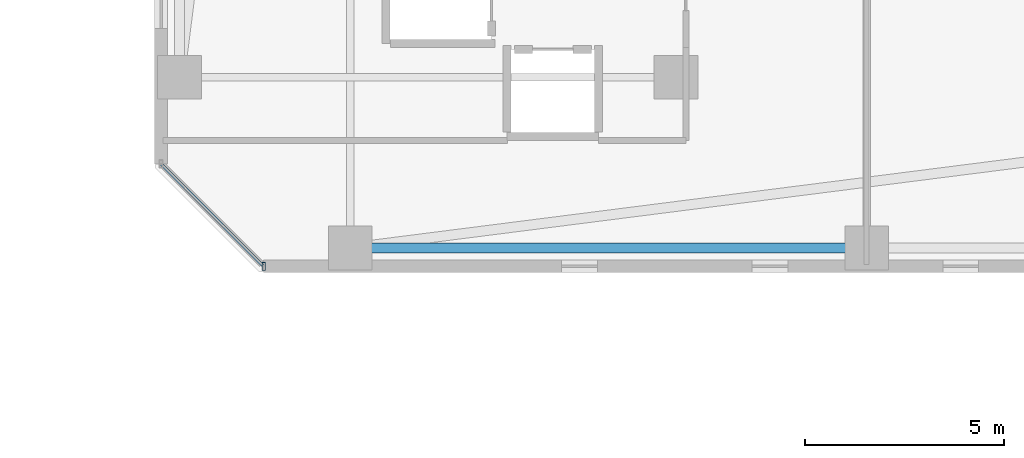
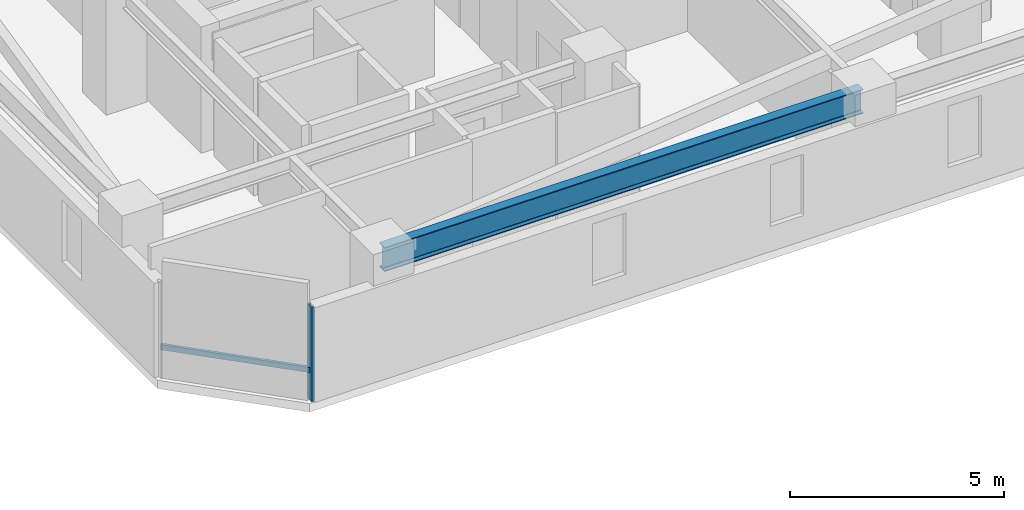
# One storey, part 12 of 33: 2 members, 1 beam, 1 element without a shape of its own.
"""IFC4 building model written with IfcOpenShell, lengths in metres."""

from ifc_helpers import new_model, si_unit, direction, frame, origin, origin_2d, place, context, subcontext, project, spatial, hollow_rectangle, i_section, extrude, material, material_profile, profile_set, type_object, element, aggregate, save


model = new_model("IFC4")

# Units and contexts
model_context = context("Model", 3, precision=1e-05, world=origin(), true_north=direction((0.0, 1.0)))
body_context = subcontext(model_context, "Body", "Model", "MODEL_VIEW")
ifc_project = project(units=[si_unit("LENGTHUNIT", "METRE"), si_unit("AREAUNIT", "SQUARE_METRE"), si_unit("VOLUMEUNIT", "CUBIC_METRE"), si_unit("PLANEANGLEUNIT", "RADIAN"), si_unit("MASSUNIT", "GRAM", prefix="KILO")], contexts=[model_context])

# Site, building, storey
site_placement = place(None, origin())
site = spatial("IfcSite", under=ifc_project, at=site_placement, CompositionType="ELEMENT")
building_placement = place(site_placement, origin())
building = spatial("IfcBuilding", under=site, at=building_placement, Name="Thornwick Lancets Civic Towers", CompositionType="ELEMENT")
storey_placement = place(building_placement, frame((0.0, 0.0, 163.5)))
storey = spatial("IfcBuildingStorey", under=building, at=storey_placement, Name="L43", CompositionType="ELEMENT", Elevation=163.5)

# Beam
ifc_material_1 = material(Name="Steel S355JR", Category="steel")
ifc_material_profile_1 = material_profile(ifc_material_1, i_section(OverallWidth=0.255859375, OverallDepth=0.69287109375, WebThickness=0.014404296875, FlangeThickness=0.023681640625, FilletRadius=0.01513671875, at=origin_2d()), Name="UKB 686x254x170")
ifc_profile_set_1 = profile_set([ifc_material_profile_1], Name="Steel S355JR")
beam_type = type_object("IfcBeamType", Name="BM_GIRD_686_170", PredefinedType="BEAM", material=ifc_profile_set_1)
beam_placement = place(storey_placement, frame((88.419921875, 9.699951171875, 3.013671875), z_axis=(-1.0, 0.0, 0.0), x_axis=(0.0, -1.0, 0.0)))
element("IfcBeam", 1, at=beam_placement, inside=storey, type_object=beam_type, Name="BM-SPINE-L43-B-10-11", PredefinedType="BEAM", context=body_context, shape_type="SweptSolid", body=[
    extrude(i_section(OverallWidth=0.255859375, OverallDepth=0.69287109375, WebThickness=0.014404296875, FlangeThickness=0.023681640625, FilletRadius=0.01513671875, at=origin_2d()), origin(), (0.0, 0.0, 1.0), 12.919921875),
])

# Curtain wall, members
ifc_material_2 = material(Name="Mid-zone chamfered-corner unitised glass curtain wall", Category="glass")
curtain_wall_type = type_object("IfcCurtainWallType", Name="CW_SYS_04", PredefinedType="NOTDEFINED", material=ifc_material_2)
curtain_wall_placement = place(storey_placement, origin())
curtain_wall = element("IfcCurtainWall", 2, at=curtain_wall_placement, inside=storey, type_object=curtain_wall_type, Name="L43 Curtain Wall CW-L43-B-E7", PredefinedType="NOTDEFINED")
ifc_material_3 = material(Name="Thermally broken bronze aluminium S355", Category="steel")
ifc_material_profile_2 = material_profile(ifc_material_3, hollow_rectangle(XDim=0.080078125, YDim=0.199951171875, WallThickness=0.006103515625, at=origin_2d()), Name="RHS 200x80x6")
ifc_profile_set_2 = profile_set([ifc_material_profile_2], Name="Thermally broken bronze aluminium S355")
member_type_1 = type_object("IfcMemberType", Name="CW_MUL_200", PredefinedType="MULLION", material=ifc_profile_set_2)
member_1_placement = place(storey_placement, frame((73.318603515625, 9.2353515625, 0.0), z_axis=(0.0, 0.0, 1.0), x_axis=(1.0, 0.0, 0.0)))
member_1 = element("IfcMember", 3, at=member_1_placement, type_object=member_type_1, Name="CW-L43-B-E7 Mullion 1", PredefinedType="MULLION", context=body_context, shape_type="SweptSolid", body=[
    extrude(hollow_rectangle(XDim=0.080078125, YDim=0.199951171875, WallThickness=0.006103515625, at=origin_2d()), origin(), (0.0, 0.0, 1.0), 2.699951171875),
])
ifc_material_profile_3 = material_profile(ifc_material_3, hollow_rectangle(XDim=0.074951171875, YDim=0.14990234375, WallThickness=0.0048828125, at=origin_2d()), Name="RHS 150x75x5")
ifc_profile_set_3 = profile_set([ifc_material_profile_3], Name="Thermally broken bronze aluminium S355")
member_type_2 = type_object("IfcMemberType", Name="CW_TRN_150", PredefinedType="USERDEFINED", material=ifc_profile_set_3)
member_2_placement = place(storey_placement, frame((70.74951171875, 11.804443359375, 0.85009765625), z_axis=(0.707106781187, -0.707106781187, 0.0), x_axis=(0.707106781187, 0.707106781187, 0.0)))
member_2 = element("IfcMember", 4, at=member_2_placement, type_object=member_type_2, Name="CW-L43-B-E7 Transom 0", ObjectType="TRANSOM", PredefinedType="USERDEFINED", context=body_context, shape_type="SweptSolid", body=[
    extrude(hollow_rectangle(XDim=0.074951171875, YDim=0.14990234375, WallThickness=0.0048828125, at=origin_2d()), origin(), (0.0, 0.0, 1.0), 3.61328125),
])
aggregate(curtain_wall, [member_1, member_2])

save(model, "model.ifc")
